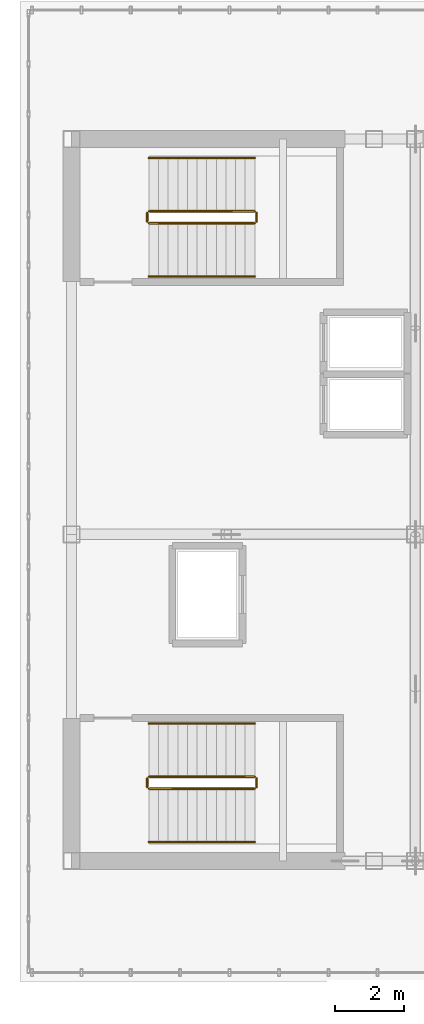
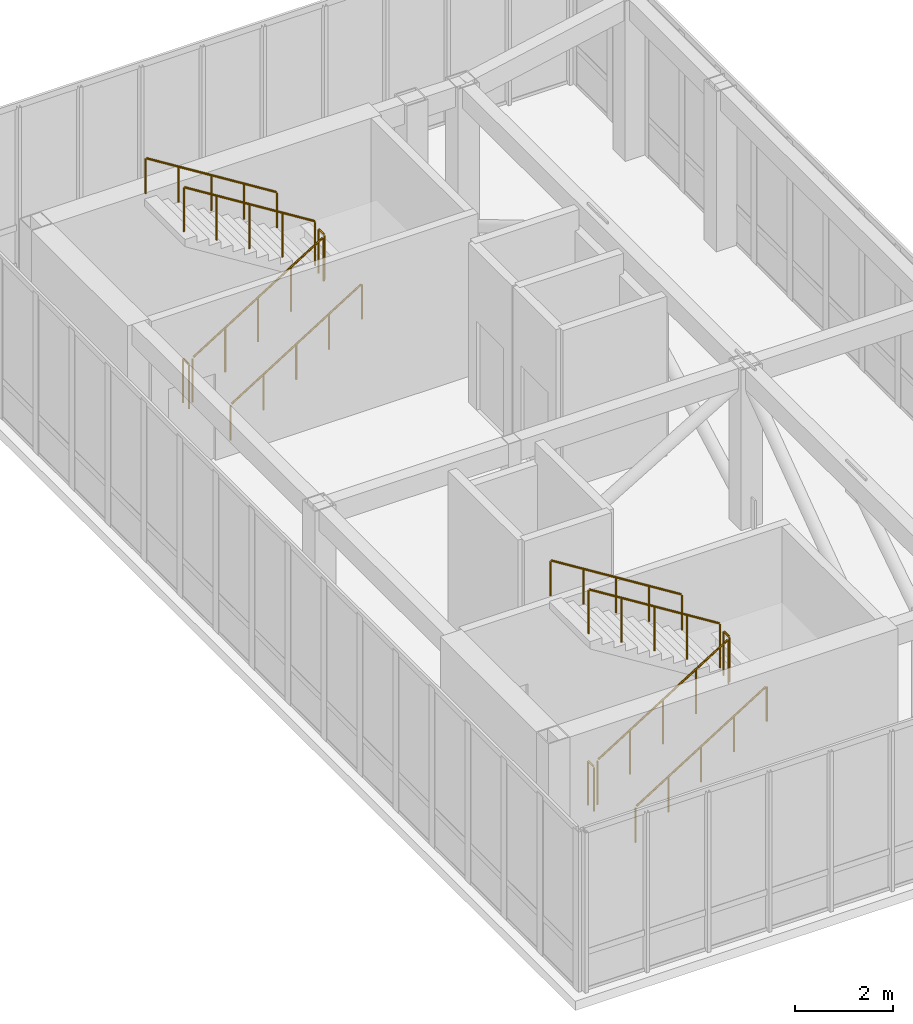
# One storey, part 13 of 13: 12 railings.
"""IFC4 building model written with IfcOpenShell, lengths in metres."""

from ifc_helpers import new_model, si_unit, direction, frame, origin, origin_2d, place, context, subcontext, project, spatial, circle, extrude, source, transform, mapped, material, layer, layer_set, type_object, element, save


model = new_model("IFC4")

# Units and contexts
model_context = context("Model", 3, precision=1e-05, world=origin(), true_north=direction((0.0, 1.0)))
body_context = subcontext(model_context, "Body", "Model", "MODEL_VIEW")
ifc_project = project(units=[si_unit("LENGTHUNIT", "METRE"), si_unit("AREAUNIT", "SQUARE_METRE"), si_unit("VOLUMEUNIT", "CUBIC_METRE"), si_unit("PLANEANGLEUNIT", "RADIAN"), si_unit("MASSUNIT", "GRAM", prefix="KILO")], contexts=[model_context])

# Site, building, storey
site_placement = place(None, origin())
site = spatial("IfcSite", under=ifc_project, at=site_placement, CompositionType="ELEMENT")
building_placement = place(site_placement, origin())
building = spatial("IfcBuilding", under=site, at=building_placement, Name="Kharzan Plaza Tower", CompositionType="ELEMENT")
storey_placement = place(building_placement, frame((0.0, 0.0, 289.800048828125)))
storey = spatial("IfcBuildingStorey", under=building, at=storey_placement, Name="L78-CROWN", CompositionType="ELEMENT", Elevation=289.800048828125)

# Railings
ifc_material_1 = material(Name="Painted Galvanized Architectural Steel", Category="steel")
ifc_layer_1 = layer(ifc_material_1, 0.074951171875)
ifc_layer_set_1 = layer_set([ifc_layer_1], Name="Painted Galvanized Architectural Steel")
railing_type_1 = type_object("IfcRailingType", Name="RL-GUARD-1120", PredefinedType="BALUSTRADE", material=ifc_layer_set_1)
shared_shape_1 = source(origin(), body_context, "Body", "SweptSolid", [
    extrude(circle(Radius=0.02392578125, at=origin_2d()), frame((0.0, 0.0263671875, 1.09619140625), z_axis=(0.0, 1.0, 0.0), x_axis=(-1.0, 0.0, 0.0)), (0.0, 0.0, 1.0), 0.197021484375),
    extrude(circle(Radius=0.02099609375, at=origin_2d()), origin(), (0.0, 0.0, 1.0), 1.072021484375),
    extrude(circle(Radius=0.02099609375, at=origin_2d()), frame((0.0, 0.25, 0.0)), (0.0, 0.0, 1.0), 1.072021484375),
])
for number, where, name in (
    (1, (9.8798828125, 10.64990234375, 2.099853515625), "L78-CROWN ST-1 stair guard 2"),
    (2, (6.699951171875, 10.64990234375, 0.0), "L78-CROWN ST-1 stair guard 4"),
    (3, (9.8798828125, 27.10009765625, 2.099853515625), "L78-CROWN ST-2 stair guard 2"),
    (4, (6.699951171875, 27.10009765625, 0.0), "L78-CROWN ST-2 stair guard 4"),
):
    element("IfcRailing", number, at=place(storey_placement, frame(where)), inside=storey, type_object=railing_type_1, Name=name, PredefinedType="BALUSTRADE", context=body_context, shape_type="MappedRepresentation", body=[
        mapped(shared_shape_1, transform((0.0, 0.0, 0.0), x_axis=(1.0, 0.0, 0.0), y_axis=(0.0, 1.0, 0.0), z_axis=(0.0, 0.0, 1.0))),
    ])
shared_shape_2 = source(origin(), body_context, "Body", "SweptSolid", [
    extrude(circle(Radius=0.02392578125, at=origin_2d()), frame((-0.0224609375, 0.0, 1.110107421875), z_axis=(-0.847998304005, 0.0, 0.529998940003), x_axis=(0.0, -1.0, 0.0)), (0.0, 0.0, 1.0), 3.579345703125),
    extrude(circle(Radius=0.02099609375, at=origin_2d()), origin(), (0.0, 0.0, 1.0), 1.072021484375),
    extrude(circle(Radius=0.02099609375, at=origin_2d()), frame((-0.77001953125, 0.0, 0.481201171875)), (0.0, 0.0, 1.0), 1.072021484375),
    extrude(circle(Radius=0.02099609375, at=origin_2d()), frame((-1.5400390625, 0.0, 0.96240234375)), (0.0, 0.0, 1.0), 1.072021484375),
    extrude(circle(Radius=0.02099609375, at=origin_2d()), frame((-2.31005859375, 0.0, 1.44384765625)), (0.0, 0.0, 1.0), 1.072021484375),
    extrude(circle(Radius=0.02099609375, at=origin_2d()), frame((-3.080078125, 0.0, 1.925048828125)), (0.0, 0.0, 1.0), 1.072021484375),
])
for number, where, name in (
    (5, (9.830078125, 10.949951171875, 2.27490234375), "L78-CROWN ST-1 stair guard 3"),
    (6, (9.830078125, 27.39990234375, 2.27490234375), "L78-CROWN ST-2 stair guard 3"),
):
    element("IfcRailing", number, at=place(storey_placement, frame(where)), inside=storey, type_object=railing_type_1, Name=name, PredefinedType="BALUSTRADE", context=body_context, shape_type="MappedRepresentation", body=[
        mapped(shared_shape_2, transform((0.0, 0.0, 0.0), x_axis=(1.0, 0.0, 0.0), y_axis=(0.0, 1.0, 0.0), z_axis=(0.0, 0.0, 1.0))),
    ])
ifc_material_2 = material(Name="Brushed Stainless Steel", Category="steel")
ifc_layer_2 = layer(ifc_material_2, 0.050048828125)
ifc_layer_set_2 = layer_set([ifc_layer_2], Name="Brushed Stainless Steel")
railing_type_2 = type_object("IfcRailingType", Name="RL-STAIR-HR920", PredefinedType="HANDRAIL", material=ifc_layer_set_2)
shared_shape_3 = source(origin(), body_context, "Body", "SweptSolid", [
    extrude(circle(Radius=0.02392578125, at=origin_2d()), frame((-0.0224609375, 0.0, 0.889892578125), z_axis=(-0.847998304005, 0.0, 0.529998940003), x_axis=(0.0, -1.0, 0.0)), (0.0, 0.0, 1.0), 3.579345703125),
    extrude(circle(Radius=0.02099609375, at=origin_2d()), origin(), (0.0, 0.0, 1.0), 0.851806640625),
    extrude(circle(Radius=0.02099609375, at=origin_2d()), frame((-0.77001953125, 0.0, 0.481201171875)), (0.0, 0.0, 1.0), 0.851806640625),
    extrude(circle(Radius=0.02099609375, at=origin_2d()), frame((-1.5400390625, 0.0, 0.96240234375)), (0.0, 0.0, 1.0), 0.851806640625),
    extrude(circle(Radius=0.02099609375, at=origin_2d()), frame((-2.31005859375, 0.0, 1.44384765625)), (0.0, 0.0, 1.0), 0.851806640625),
    extrude(circle(Radius=0.02099609375, at=origin_2d()), frame((-3.080078125, 0.0, 1.925048828125)), (0.0, 0.0, 1.0), 0.851806640625),
])
for number, where, name in (
    (7, (9.830078125, 12.5, 2.27490234375), "L78-CROWN ST-1 stair handrail 2"),
    (8, (9.830078125, 28.949951171875, 2.27490234375), "L78-CROWN ST-2 stair handrail 2"),
):
    element("IfcRailing", number, at=place(storey_placement, frame(where)), inside=storey, type_object=railing_type_2, Name=name, PredefinedType="HANDRAIL", context=body_context, shape_type="MappedRepresentation", body=[
        mapped(shared_shape_3, transform((0.0, 0.0, 0.0), x_axis=(1.0, 0.0, 0.0), y_axis=(0.0, 1.0, 0.0), z_axis=(0.0, 0.0, 1.0))),
    ])
shared_shape_4 = source(origin(), body_context, "Body", "SweptSolid", [
    extrude(circle(Radius=0.02392578125, at=origin_2d()), frame((0.0224609375, 0.0, 1.110107421875), z_axis=(0.848028513186, 0.0, 0.529950602248), x_axis=(0.0, 1.0, 0.0)), (0.0, 0.0, 1.0), 3.5791015625),
    extrude(circle(Radius=0.02099609375, at=origin_2d()), origin(), (0.0, 0.0, 1.0), 1.072021484375),
    extrude(circle(Radius=0.02099609375, at=origin_2d()), frame((0.77001953125, 0.0, 0.481201171875)), (0.0, 0.0, 1.0), 1.072021484375),
    extrude(circle(Radius=0.02099609375, at=origin_2d()), frame((1.5400390625, 0.0, 0.96240234375)), (0.0, 0.0, 1.0), 1.072021484375),
    extrude(circle(Radius=0.02099609375, at=origin_2d()), frame((2.31005859375, 0.0, 1.443603515625)), (0.0, 0.0, 1.0), 1.072021484375),
    extrude(circle(Radius=0.02099609375, at=origin_2d()), frame((3.080078125, 0.0, 1.9248046875)), (0.0, 0.0, 1.0), 1.072021484375),
])
for number, where, name in (
    (9, (6.75, 10.60009765625, 0.175048828125), "L78-CROWN ST-1 stair guard 1"),
    (10, (6.75, 27.050048828125, 0.175048828125), "L78-CROWN ST-2 stair guard 1"),
):
    element("IfcRailing", number, at=place(storey_placement, frame(where)), inside=storey, type_object=railing_type_1, Name=name, PredefinedType="BALUSTRADE", context=body_context, shape_type="MappedRepresentation", body=[
        mapped(shared_shape_4, transform((0.0, 0.0, 0.0), x_axis=(1.0, 0.0, 0.0), y_axis=(0.0, 1.0, 0.0), z_axis=(0.0, 0.0, 1.0))),
    ])
shared_shape_5 = source(origin(), body_context, "Body", "SweptSolid", [
    extrude(circle(Radius=0.02392578125, at=origin_2d()), frame((0.0224609375, 0.0, 0.889892578125), z_axis=(0.848028513186, 0.0, 0.529950602248), x_axis=(0.0, 1.0, 0.0)), (0.0, 0.0, 1.0), 3.5791015625),
    extrude(circle(Radius=0.02099609375, at=origin_2d()), origin(), (0.0, 0.0, 1.0), 0.851806640625),
    extrude(circle(Radius=0.02099609375, at=origin_2d()), frame((0.77001953125, 0.0, 0.481201171875)), (0.0, 0.0, 1.0), 0.851806640625),
    extrude(circle(Radius=0.02099609375, at=origin_2d()), frame((1.5400390625, 0.0, 0.96240234375)), (0.0, 0.0, 1.0), 0.851806640625),
    extrude(circle(Radius=0.02099609375, at=origin_2d()), frame((2.31005859375, 0.0, 1.443603515625)), (0.0, 0.0, 1.0), 0.851806640625),
    extrude(circle(Radius=0.02099609375, at=origin_2d()), frame((3.080078125, 0.0, 1.9248046875)), (0.0, 0.0, 1.0), 0.851806640625),
])
for number, where, name in (
    (11, (6.75, 9.050048828125, 0.175048828125), "L78-CROWN ST-1 stair handrail 1"),
    (12, (6.75, 25.5, 0.175048828125), "L78-CROWN ST-2 stair handrail 1"),
):
    element("IfcRailing", number, at=place(storey_placement, frame(where)), inside=storey, type_object=railing_type_2, Name=name, PredefinedType="HANDRAIL", context=body_context, shape_type="MappedRepresentation", body=[
        mapped(shared_shape_5, transform((0.0, 0.0, 0.0), x_axis=(1.0, 0.0, 0.0), y_axis=(0.0, 1.0, 0.0), z_axis=(0.0, 0.0, 1.0))),
    ])

save(model, "model.ifc")
